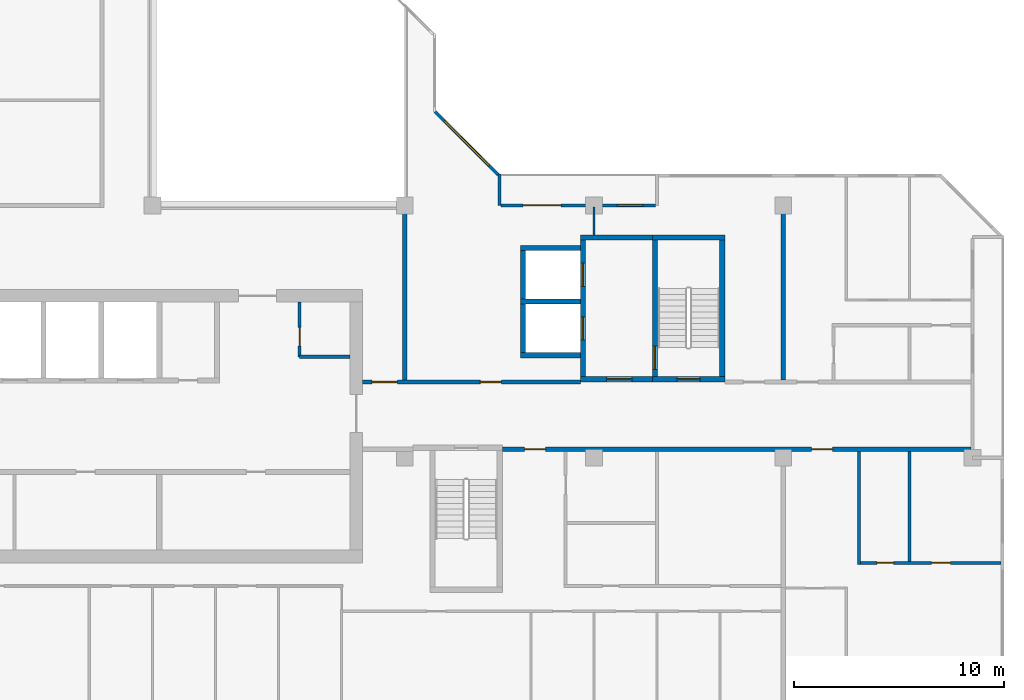
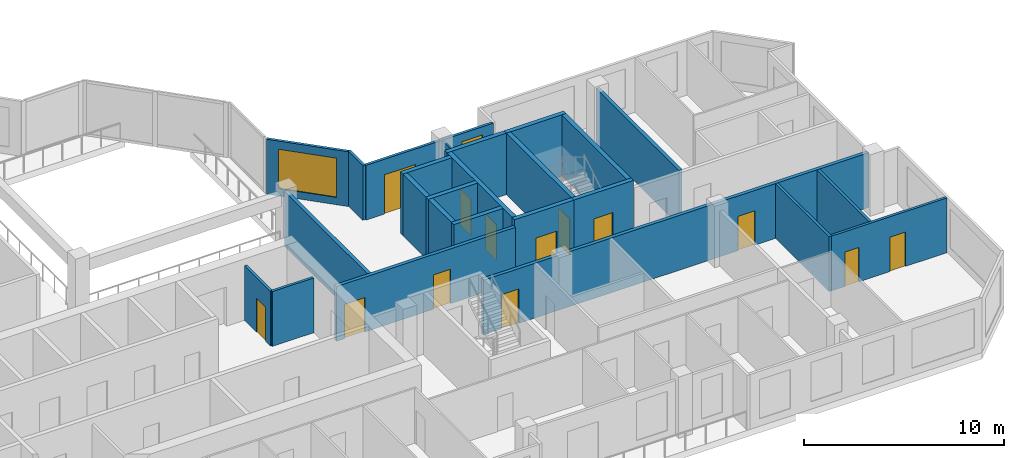
# One storey, part 7 of 13: 25 walls, 13 doors, 2 windows, 15 openings.
"""IFC4 building model written with IfcOpenShell, lengths in metres."""

from ifc_helpers import new_model, si_unit, direction, frame, frame_2d, origin, place, context, subcontext, project, spatial, rectangle, extrude, material, layer, layer_set, type_object, element, fill, save


model = new_model("IFC4")

# Units and contexts
model_context = context("Model", 3, precision=1e-05, world=origin(), true_north=direction((0.0, 1.0)))
body_context = subcontext(model_context, "Body", "Model", "MODEL_VIEW")
ifc_project = project(units=[si_unit("LENGTHUNIT", "METRE"), si_unit("AREAUNIT", "SQUARE_METRE"), si_unit("VOLUMEUNIT", "CUBIC_METRE"), si_unit("PLANEANGLEUNIT", "RADIAN"), si_unit("MASSUNIT", "GRAM", prefix="KILO")], contexts=[model_context])

# Site, building, storey
site_placement = place(None, origin())
site = spatial("IfcSite", under=ifc_project, at=site_placement, CompositionType="ELEMENT")
building_placement = place(site_placement, origin())
building = spatial("IfcBuilding", under=site, at=building_placement, Name="Chenar Terraces", CompositionType="ELEMENT")
storey_placement = place(building_placement, frame((0.0, 0.0, 284.64990234375)))
storey = spatial("IfcBuildingStorey", under=building, at=storey_placement, Name="L66", CompositionType="ELEMENT", Elevation=284.64990234375)

# Wall, opening, door
ifc_material_1 = material(Name="Gypsum board on steel studs", Category="steel")
ifc_layer_1 = layer(ifc_material_1, 0.14990234375)
ifc_layer_set_1 = layer_set([ifc_layer_1], Name="Gypsum board on steel studs")
wall_type_1 = type_object("IfcWallType", Name="Core partition 150 gypsum board", PredefinedType="PARTITIONING", material=ifc_layer_set_1)
wall_1_placement = place(storey_placement, frame((31.0, 16.800048828125, 0.0), z_axis=(0.0, 0.0, 1.0), x_axis=(0.0, 1.0, 0.0)))
wall_1 = element("IfcWall", 1, at=wall_1_placement, inside=storey, type_object=wall_type_1, Name="Core partition CP1 vestibule room west wall", PredefinedType="PARTITIONING", context=body_context, shape_type="SweptSolid", body=[
    extrude(rectangle(XDim=2.599853515625, YDim=0.14990234375, at=frame_2d((1.2998046875, 0.0))), origin(), (0.0, 0.0, 1.0), 3.35009765625),
])
opening_1_placement = place(wall_1_placement, frame((0.5, 0.0, 0.0)))
opening_1 = element("IfcOpeningElement", 2, at=opening_1_placement, cuts=wall_1, Name="Opening DL66-C16", PredefinedType="OPENING", context=body_context, shape_type="SweptSolid", body=[
    extrude(rectangle(XDim=0.89990234375, YDim=2.10009765625, at=frame_2d((0.449951171875, 1.050048828125))), frame((0.0, 0.0849609375, 0.0), z_axis=(0.0, -1.0, 0.0), x_axis=(1.0, 0.0, 0.0)), (0.0, 0.0, 1.0), 0.169921875),
])
ifc_material_2 = material(Name="Steel-framed fire-resisting door leaf", Category="steel")
door_type_1 = type_object("IfcDoorType", Name="Riser fire door FD60 900 x 2100", OperationType="SINGLE_SWING_LEFT", PredefinedType="DOOR", material=ifc_material_2)
door_1_placement = place(opening_1_placement, frame((0.89990234375, 0.0, 0.0), z_axis=(0.0, 0.0, 1.0), x_axis=(-1.0, 0.0, 0.0)))
door_1 = element("IfcDoor", 3, at=door_1_placement, inside=storey, type_object=door_type_1, Name="Core room door DL66-C16", OperationType="SINGLE_SWING_RIGHT", OverallHeight=2.10009765625, OverallWidth=0.89990234375, PredefinedType="DOOR", context=body_context, shape_type="SweptSolid", body=[
    extrude(rectangle(XDim=0.89990234375, YDim=2.10009765625, at=frame_2d((0.449951171875, 1.050048828125))), frame((0.0, 0.02490234375, 0.0), z_axis=(0.0, -1.0, 0.0), x_axis=(1.0, 0.0, 0.0)), (0.0, 0.0, 1.0), 0.050048828125),
])
fill(opening_1, door_1)

# Wall
wall_2_placement = place(storey_placement, frame((31.0, 16.800048828125, 0.0), z_axis=(0.0, 0.0, 1.0), x_axis=(1.0, 0.0, 0.0)))
element("IfcWall", 4, at=wall_2_placement, inside=storey, type_object=wall_type_1, Name="Core partition CP1 vestibule room south wall", PredefinedType="PARTITIONING", context=body_context, shape_type="SweptSolid", body=[
    extrude(rectangle(XDim=2.39990234375, YDim=0.14990234375, at=frame_2d((1.199951171875, 0.0))), origin(), (0.0, 0.0, 1.0), 3.35009765625),
])

# Wall, opening, door
ifc_material_3 = material(Name="Concrete C50/60", Category="concrete")
ifc_layer_2 = layer(ifc_material_3, 0.25)
ifc_layer_set_2 = layer_set([ifc_layer_2], Name="Concrete C50/60")
wall_type_2 = type_object("IfcWallType", Name="Core wall 250 Concrete C50/60", PredefinedType="SHEAR", material=ifc_layer_set_2)
wall_3_placement = place(storey_placement, frame((47.77490234375, 15.72509765625, 0.0), z_axis=(0.0, 0.0, 1.0), x_axis=(1.0, 0.0, 0.0)))
wall_3 = element("IfcWall", 5, at=wall_3_placement, inside=storey, type_object=wall_type_2, Name="Core wall ST3_S L66", PredefinedType="SHEAR", context=body_context, shape_type="SweptSolid", body=[
    extrude(rectangle(XDim=3.4501953125, YDim=0.25, at=frame_2d((1.72509765625, 0.0))), origin(), (0.0, 0.0, 1.0), 3.75),
])
opening_2_placement = place(wall_3_placement, frame((1.175048828125, 0.0, 0.0)))
opening_2 = element("IfcOpeningElement", 6, at=opening_2_placement, cuts=wall_3, Name="Opening DL66-C8", PredefinedType="OPENING", context=body_context, shape_type="SweptSolid", body=[
    extrude(rectangle(XDim=1.10009765625, YDim=2.199951171875, at=frame_2d((0.550048828125, 1.10009765625))), frame((0.0, 0.135009765625, 0.0), z_axis=(0.0, -1.0, 0.0), x_axis=(1.0, 0.0, 0.0)), (0.0, 0.0, 1.0), 0.27001953125),
])
ifc_material_4 = material(Name="Steel-framed fire-resisting door leaf", Category="steel")
door_type_2 = type_object("IfcDoorType", Name="Stair fire door FD60 1100 x 2200", OperationType="SINGLE_SWING_LEFT", PredefinedType="DOOR", material=ifc_material_4)
door_2_placement = place(opening_2_placement, frame((1.10009765625, 0.0, 0.0), z_axis=(0.0, 0.0, 1.0), x_axis=(-1.0, 0.0, 0.0)))
door_2 = element("IfcDoor", 7, at=door_2_placement, inside=storey, type_object=door_type_2, Name="Stair door DL66-C8", OperationType="SINGLE_SWING_LEFT", OverallHeight=2.199951171875, OverallWidth=1.10009765625, PredefinedType="DOOR", context=body_context, shape_type="SweptSolid", body=[
    extrude(rectangle(XDim=1.10009765625, YDim=2.199951171875, at=frame_2d((0.550048828125, 1.10009765625))), frame((0.0, 0.02490234375, 0.0), z_axis=(0.0, -1.0, 0.0), x_axis=(1.0, 0.0, 0.0)), (0.0, 0.0, 1.0), 0.050048828125),
])
fill(opening_2, door_2)

# Wall
wall_4_placement = place(storey_placement, frame((47.77490234375, 22.47509765625, 0.0), z_axis=(0.0, 0.0, 1.0), x_axis=(1.0, 0.0, 0.0)))
element("IfcWall", 8, at=wall_4_placement, inside=storey, type_object=wall_type_2, Name="Core wall ST3_N L66", PredefinedType="SHEAR", context=body_context, shape_type="SweptSolid", body=[
    extrude(rectangle(XDim=3.4501953125, YDim=0.25, at=frame_2d((1.72509765625, 0.0))), origin(), (0.0, 0.0, 1.0), 3.75),
])

# Wall, opening, door
wall_5_placement = place(storey_placement, frame((47.89990234375, 15.85009765625, 0.0), z_axis=(0.0, 0.0, 1.0), x_axis=(0.0, 1.0, 0.0)))
wall_5 = element("IfcWall", 9, at=wall_5_placement, inside=storey, type_object=wall_type_2, Name="Core wall ST3_W L66", PredefinedType="SHEAR", context=body_context, shape_type="SweptSolid", body=[
    extrude(rectangle(XDim=6.5, YDim=0.25, at=frame_2d((3.25, 0.0))), origin(), (0.0, 0.0, 1.0), 3.75),
])
opening_3_placement = place(wall_5_placement, frame((0.35009765625, 0.0, 0.0)))
opening_3 = element("IfcOpeningElement", 10, at=opening_3_placement, cuts=wall_5, Name="Opening DL66-C11", PredefinedType="OPENING", context=body_context, shape_type="SweptSolid", body=[
    extrude(rectangle(XDim=1.10009765625, YDim=2.199951171875, at=frame_2d((0.550048828125, 1.10009765625))), frame((0.0, 0.135009765625, 0.0), z_axis=(0.0, -1.0, 0.0), x_axis=(1.0, 0.0, 0.0)), (0.0, 0.0, 1.0), 0.27001953125),
])
door_3_placement = place(opening_3_placement, frame((1.10009765625, 0.0, 0.0), z_axis=(0.0, 0.0, 1.0), x_axis=(-1.0, 0.0, 0.0)))
door_3 = element("IfcDoor", 11, at=door_3_placement, inside=storey, type_object=door_type_2, Name="Stair door DL66-C11", OperationType="SINGLE_SWING_RIGHT", OverallHeight=2.199951171875, OverallWidth=1.10009765625, PredefinedType="DOOR", context=body_context, shape_type="SweptSolid", body=[
    extrude(rectangle(XDim=1.10009765625, YDim=2.199951171875, at=frame_2d((0.550048828125, 1.10009765625))), frame((0.0, 0.02490234375, 0.0), z_axis=(0.0, -1.0, 0.0), x_axis=(1.0, 0.0, 0.0)), (0.0, 0.0, 1.0), 0.050048828125),
])
fill(opening_3, door_3)

# Wall
wall_6_placement = place(storey_placement, frame((51.10009765625, 15.85009765625, 0.0), z_axis=(0.0, 0.0, 1.0), x_axis=(0.0, 1.0, 0.0)))
element("IfcWall", 12, at=wall_6_placement, inside=storey, type_object=wall_type_2, Name="Core wall ST3_E L66", PredefinedType="SHEAR", context=body_context, shape_type="SweptSolid", body=[
    extrude(rectangle(XDim=6.5, YDim=0.25, at=frame_2d((3.25, 0.0))), origin(), (0.0, 0.0, 1.0), 3.75),
])

# Wall, opening, door
wall_7_placement = place(storey_placement, frame((44.35009765625, 15.72509765625, 0.0), z_axis=(0.0, 0.0, 1.0), x_axis=(1.0, 0.0, 0.0)))
wall_7 = element("IfcWall", 13, at=wall_7_placement, inside=storey, type_object=wall_type_2, Name="Core wall F3_LS L66", PredefinedType="SHEAR", context=body_context, shape_type="SweptSolid", body=[
    extrude(rectangle(XDim=3.4248046875, YDim=0.25, at=frame_2d((1.71240234375, 0.0))), origin(), (0.0, 0.0, 1.0), 3.75),
])
opening_4_placement = place(wall_7_placement, frame((1.25, 0.0, 0.0)))
opening_4 = element("IfcOpeningElement", 14, at=opening_4_placement, cuts=wall_7, Name="Opening DL66-C10", PredefinedType="OPENING", context=body_context, shape_type="SweptSolid", body=[
    extrude(rectangle(XDim=1.199951171875, YDim=2.199951171875, at=frame_2d((0.60009765625, 1.10009765625))), frame((0.0, 0.135009765625, 0.0), z_axis=(0.0, -1.0, 0.0), x_axis=(1.0, 0.0, 0.0)), (0.0, 0.0, 1.0), 0.27001953125),
])
ifc_material_5 = material(Name="Steel-framed fire-resisting door leaf", Category="steel")
door_type_3 = type_object("IfcDoorType", Name="Lobby fire door FD60 1200 x 2200", OperationType="SINGLE_SWING_LEFT", PredefinedType="DOOR", material=ifc_material_5)
door_4_placement = place(opening_4_placement, origin())
door_4 = element("IfcDoor", 15, at=door_4_placement, inside=storey, type_object=door_type_3, Name="Core door DL66-C10", OperationType="SINGLE_SWING_RIGHT", OverallHeight=2.199951171875, OverallWidth=1.199951171875, PredefinedType="DOOR", context=body_context, shape_type="SweptSolid", body=[
    extrude(rectangle(XDim=1.199951171875, YDim=2.199951171875, at=frame_2d((0.60009765625, 1.10009765625))), frame((0.0, 0.02490234375, 0.0), z_axis=(0.0, -1.0, 0.0), x_axis=(1.0, 0.0, 0.0)), (0.0, 0.0, 1.0), 0.050048828125),
])
fill(opening_4, door_4)

# Wall
wall_8_placement = place(storey_placement, frame((44.35009765625, 22.47509765625, 0.0), z_axis=(0.0, 0.0, 1.0), x_axis=(1.0, 0.0, 0.0)))
element("IfcWall", 16, at=wall_8_placement, inside=storey, type_object=wall_type_2, Name="Core wall F3_LN L66", PredefinedType="SHEAR", context=body_context, shape_type="SweptSolid", body=[
    extrude(rectangle(XDim=3.4248046875, YDim=0.25, at=frame_2d((1.71240234375, 0.0))), origin(), (0.0, 0.0, 1.0), 3.75),
])

# Wall, openings, doors
wall_9_placement = place(storey_placement, frame((44.47509765625, 15.85009765625, 0.0), z_axis=(0.0, 0.0, 1.0), x_axis=(0.0, 1.0, 0.0)))
wall_9 = element("IfcWall", 17, at=wall_9_placement, inside=storey, type_object=wall_type_2, Name="Core wall F3_LW L66", PredefinedType="SHEAR", context=body_context, shape_type="SweptSolid", body=[
    extrude(rectangle(XDim=6.5, YDim=0.25, at=frame_2d((3.25, 0.0))), origin(), (0.0, 0.0, 1.0), 3.75),
])
opening_5_placement = place(wall_9_placement, frame((1.75, 0.0, 0.0)))
opening_5 = element("IfcOpeningElement", 18, at=opening_5_placement, cuts=wall_9, Name="Opening DL66-LD8", PredefinedType="OPENING", context=body_context, shape_type="SweptSolid", body=[
    extrude(rectangle(XDim=1.10009765625, YDim=2.199951171875, at=frame_2d((0.550048828125, 1.10009765625))), frame((0.0, 0.135009765625, 0.0), z_axis=(0.0, -1.0, 0.0), x_axis=(1.0, 0.0, 0.0)), (0.0, 0.0, 1.0), 0.27001953125),
])
opening_6_placement = place(wall_9_placement, frame((4.300048828125, 0.0, 0.0)))
opening_6 = element("IfcOpeningElement", 19, at=opening_6_placement, cuts=wall_9, Name="Opening DL66-LD9", PredefinedType="OPENING", context=body_context, shape_type="SweptSolid", body=[
    extrude(rectangle(XDim=1.10009765625, YDim=2.199951171875, at=frame_2d((0.550048828125, 1.10009765625))), frame((0.0, 0.135009765625, 0.0), z_axis=(0.0, -1.0, 0.0), x_axis=(1.0, 0.0, 0.0)), (0.0, 0.0, 1.0), 0.27001953125),
])
ifc_material_6 = material(Name="Stainless steel", Category="steel")
door_type_4 = type_object("IfcDoorType", Name="Lift landing door 1100 x 2200 sliding", OperationType="DOUBLE_DOOR_SLIDING", PredefinedType="DOOR", material=ifc_material_6)
door_5_placement = place(opening_5_placement, origin())
door_5 = element("IfcDoor", 20, at=door_5_placement, inside=storey, type_object=door_type_4, Name="Landing door F3", OperationType="DOUBLE_DOOR_SLIDING", OverallHeight=2.199951171875, OverallWidth=1.10009765625, PredefinedType="DOOR", context=body_context, shape_type="SweptSolid", body=[
    extrude(rectangle(XDim=1.10009765625, YDim=2.199951171875, at=frame_2d((0.550048828125, 1.10009765625))), frame((0.0, 0.02490234375, 0.0), z_axis=(0.0, -1.0, 0.0), x_axis=(1.0, 0.0, 0.0)), (0.0, 0.0, 1.0), 0.050048828125),
])
fill(opening_5, door_5)
door_6_placement = place(opening_6_placement, origin())
door_6 = element("IfcDoor", 21, at=door_6_placement, inside=storey, type_object=door_type_4, Name="Landing door F4", OperationType="DOUBLE_DOOR_SLIDING", OverallHeight=2.199951171875, OverallWidth=1.10009765625, PredefinedType="DOOR", context=body_context, shape_type="SweptSolid", body=[
    extrude(rectangle(XDim=1.10009765625, YDim=2.199951171875, at=frame_2d((0.550048828125, 1.10009765625))), frame((0.0, 0.02490234375, 0.0), z_axis=(0.0, -1.0, 0.0), x_axis=(1.0, 0.0, 0.0)), (0.0, 0.0, 1.0), 0.050048828125),
])
fill(opening_6, door_6)

# Walls
for number, where, z_axis, x_axis, name in (
    (22, (41.5, 16.875, 0.0), (0.0, 0.0, 1.0), (1.0, 0.0, 0.0), "Core wall F3_SS L66"),
    (23, (41.5, 19.425048828125, 0.0), (0.0, 0.0, 1.0), (1.0, 0.0, 0.0), "Core wall F3_SM L66"),
    (24, (41.5, 21.97509765625, 0.0), (0.0, 0.0, 1.0), (1.0, 0.0, 0.0), "Core wall F4_SN L66"),
):
    element("IfcWall", number, at=place(storey_placement, frame(where, z_axis=z_axis, x_axis=x_axis)), inside=storey, type_object=wall_type_2, Name=name, PredefinedType="SHEAR", context=body_context, shape_type="SweptSolid", body=[
        extrude(rectangle(XDim=2.85009765625, YDim=0.25, at=frame_2d((1.425048828125, 0.0))), origin(), (0.0, 0.0, 1.0), 3.75),
    ])
for number, where, z_axis, x_axis, name in (
    (25, (41.625, 17.0, 0.0), (0.0, 0.0, 1.0), (0.0, 1.0, 0.0), "Core wall F3_SW L66"),
    (26, (41.625, 19.550048828125, 0.0), (0.0, 0.0, 1.0), (0.0, 1.0, 0.0), "Core wall F4_SW L66"),
):
    element("IfcWall", number, at=place(storey_placement, frame(where, z_axis=z_axis, x_axis=x_axis)), inside=storey, type_object=wall_type_2, Name=name, PredefinedType="SHEAR", context=body_context, shape_type="SweptSolid", body=[
        extrude(rectangle(XDim=2.300048828125, YDim=0.25, at=frame_2d((1.14990234375, 0.0))), origin(), (0.0, 0.0, 1.0), 3.75),
    ])

# Wall, openings, doors
ifc_material_7 = material(Name="Gypsum board on steel studs with fire boards", Category="steel")
ifc_layer_3 = layer(ifc_material_7, 0.199951171875)
ifc_layer_set_3 = layer_set([ifc_layer_3], Name="Gypsum board on steel studs with fire boards")
wall_type_3 = type_object("IfcWallType", Name="Corridor wall 200", PredefinedType="PARTITIONING", material=ifc_layer_set_3)
wall_10_placement = place(storey_placement, frame((34.0, 15.60009765625, 0.0), z_axis=(0.0, 0.0, 1.0), x_axis=(1.0, 0.0, 0.0)))
wall_10 = element("IfcWall", 27, at=wall_10_placement, inside=storey, type_object=wall_type_3, Name="Partition L66-049", PredefinedType="PARTITIONING", context=body_context, shape_type="SweptSolid", body=[
    extrude(rectangle(XDim=10.35009765625, YDim=0.199951171875, at=frame_2d((5.175048828125, 0.0))), origin(), (0.0, 0.0, 1.0), 3.35009765625),
])
opening_7_placement = place(wall_10_placement, frame((5.60009765625, 0.0, 0.0)))
opening_7 = element("IfcOpeningElement", 28, at=opening_7_placement, cuts=wall_10, Name="Opening DL66-3", PredefinedType="OPENING", context=body_context, shape_type="SweptSolid", body=[
    extrude(rectangle(XDim=1.0, YDim=2.10009765625, at=frame_2d((0.5, 1.050048828125))), frame((0.0, 0.10986328125, 0.0), z_axis=(0.0, -1.0, 0.0), x_axis=(1.0, 0.0, 0.0)), (0.0, 0.0, 1.0), 0.219970703125),
])
opening_8_placement = place(wall_10_placement, frame((0.449951171875, 0.0, 0.0)))
opening_8 = element("IfcOpeningElement", 29, at=opening_8_placement, cuts=wall_10, Name="Opening DL66-28", PredefinedType="OPENING", context=body_context, shape_type="SweptSolid", body=[
    extrude(rectangle(XDim=1.199951171875, YDim=2.10009765625, at=frame_2d((0.60009765625, 1.050048828125))), frame((0.0, 0.10986328125, 0.0), z_axis=(0.0, -1.0, 0.0), x_axis=(1.0, 0.0, 0.0)), (0.0, 0.0, 1.0), 0.219970703125),
])
ifc_material_8 = material(Name="Steel-framed fire-resisting door leaf", Category="steel")
door_type_5 = type_object("IfcDoorType", Name="Fire door FD60 1000 x 2100", OperationType="SINGLE_SWING_LEFT", PredefinedType="DOOR", material=ifc_material_8)
door_7_placement = place(opening_7_placement, origin())
door_7 = element("IfcDoor", 30, at=door_7_placement, inside=storey, type_object=door_type_5, Name="Door DL66-3", OperationType="SINGLE_SWING_RIGHT", OverallHeight=2.10009765625, OverallWidth=1.0, PredefinedType="DOOR", context=body_context, shape_type="SweptSolid", body=[
    extrude(rectangle(XDim=1.0, YDim=2.10009765625, at=frame_2d((0.5, 1.050048828125))), frame((0.0, 0.02490234375, 0.0), z_axis=(0.0, -1.0, 0.0), x_axis=(1.0, 0.0, 0.0)), (0.0, 0.0, 1.0), 0.050048828125),
])
fill(opening_7, door_7)
ifc_material_9 = material(Name="Steel-framed fire-resisting door leaf", Category="steel")
door_type_6 = type_object("IfcDoorType", Name="Fire door FD60 1200 x 2100", OperationType="SINGLE_SWING_LEFT", PredefinedType="DOOR", material=ifc_material_9)
door_8_placement = place(opening_8_placement, origin())
door_8 = element("IfcDoor", 31, at=door_8_placement, inside=storey, type_object=door_type_6, Name="Door DL66-28", OperationType="SINGLE_SWING_RIGHT", OverallHeight=2.10009765625, OverallWidth=1.199951171875, PredefinedType="DOOR", context=body_context, shape_type="SweptSolid", body=[
    extrude(rectangle(XDim=1.199951171875, YDim=2.10009765625, at=frame_2d((0.60009765625, 1.050048828125))), frame((0.0, 0.02490234375, 0.0), z_axis=(0.0, -1.0, 0.0), x_axis=(1.0, 0.0, 0.0)), (0.0, 0.0, 1.0), 0.050048828125),
])
fill(opening_8, door_8)

# Wall
wall_11_placement = place(storey_placement, frame((36.0, 15.699951171875, 0.0), z_axis=(0.0, 0.0, 1.0), x_axis=(0.0, 1.0, 0.0)))
element("IfcWall", 32, at=wall_11_placement, inside=storey, type_object=wall_type_3, Name="Partition L66-050", PredefinedType="PARTITIONING", context=body_context, shape_type="SweptSolid", body=[
    extrude(rectangle(XDim=8.300048828125, YDim=0.199951171875, at=frame_2d((4.14990234375, 0.0))), origin(), (0.0, 0.0, 1.0), 3.35009765625),
])

# Wall, openings, doors
wall_12_placement = place(storey_placement, frame((40.64990234375, 12.39990234375, 0.0), z_axis=(0.0, 0.0, 1.0), x_axis=(1.0, 0.0, 0.0)))
wall_12 = element("IfcWall", 33, at=wall_12_placement, inside=storey, type_object=wall_type_3, Name="Partition L66-051", PredefinedType="PARTITIONING", context=body_context, shape_type="SweptSolid", body=[
    extrude(rectangle(XDim=22.276123046875, YDim=0.199951171875, at=frame_2d((11.13818359375, 0.0))), origin(), (0.0, 0.0, 1.0), 3.35009765625),
])
opening_9_placement = place(wall_12_placement, frame((14.699951171875, 0.0, 0.0)))
opening_9 = element("IfcOpeningElement", 34, at=opening_9_placement, cuts=wall_12, Name="Opening DL66-12", PredefinedType="OPENING", context=body_context, shape_type="SweptSolid", body=[
    extrude(rectangle(XDim=1.0, YDim=2.10009765625, at=frame_2d((0.5, 1.050048828125))), frame((0.0, 0.10986328125, 0.0), z_axis=(0.0, -1.0, 0.0), x_axis=(1.0, 0.0, 0.0)), (0.0, 0.0, 1.0), 0.219970703125),
])
opening_10_placement = place(wall_12_placement, frame((1.050048828125, 0.0, 0.0)))
opening_10 = element("IfcOpeningElement", 35, at=opening_10_placement, cuts=wall_12, Name="Opening DL66-45", PredefinedType="OPENING", context=body_context, shape_type="SweptSolid", body=[
    extrude(rectangle(XDim=1.0, YDim=2.10009765625, at=frame_2d((0.5, 1.050048828125))), frame((0.0, 0.10986328125, 0.0), z_axis=(0.0, -1.0, 0.0), x_axis=(1.0, 0.0, 0.0)), (0.0, 0.0, 1.0), 0.219970703125),
])
ifc_material_10 = material(Name="Steel-framed fire-resisting door leaf", Category="steel")
door_type_7 = type_object("IfcDoorType", Name="Fire door FD30S 1000 x 2100", OperationType="SINGLE_SWING_LEFT", PredefinedType="DOOR", material=ifc_material_10)
door_9_placement = place(opening_9_placement, frame((1.0, 0.0, 0.0), z_axis=(0.0, 0.0, 1.0), x_axis=(-1.0, 0.0, 0.0)))
door_9 = element("IfcDoor", 36, at=door_9_placement, inside=storey, type_object=door_type_7, Name="Door DL66-12", OperationType="SINGLE_SWING_RIGHT", OverallHeight=2.10009765625, OverallWidth=1.0, PredefinedType="DOOR", context=body_context, shape_type="SweptSolid", body=[
    extrude(rectangle(XDim=1.0, YDim=2.10009765625, at=frame_2d((0.5, 1.050048828125))), frame((0.0, 0.02490234375, 0.0), z_axis=(0.0, -1.0, 0.0), x_axis=(1.0, 0.0, 0.0)), (0.0, 0.0, 1.0), 0.050048828125),
])
fill(opening_9, door_9)
door_10_placement = place(opening_10_placement, origin())
door_10 = element("IfcDoor", 37, at=door_10_placement, inside=storey, type_object=door_type_7, Name="Door DL66-45", OperationType="SINGLE_SWING_LEFT", OverallHeight=2.10009765625, OverallWidth=1.0, PredefinedType="DOOR", context=body_context, shape_type="SweptSolid", body=[
    extrude(rectangle(XDim=1.0, YDim=2.10009765625, at=frame_2d((0.5, 1.050048828125))), frame((0.0, 0.02490234375, 0.0), z_axis=(0.0, -1.0, 0.0), x_axis=(1.0, 0.0, 0.0)), (0.0, 0.0, 1.0), 0.050048828125),
])
fill(opening_10, door_10)

# Wall, openings, window, door
ifc_material_11 = material(Name="Aluminium framed glazing", Category="aluminium")
ifc_layer_4 = layer(ifc_material_11, 0.14990234375)
ifc_layer_set_4 = layer_set([ifc_layer_4], Name="Aluminium framed glazing")
wall_type_4 = type_object("IfcWallType", Name="Glazed loggia back wall 150", PredefinedType="SOLIDWALL", material=ifc_layer_set_4)
wall_13_placement = place(storey_placement, frame((47.925048828125, 24.0, 0.0), z_axis=(0.0, 0.0, 1.0), x_axis=(-1.0, 0.0, 0.0)))
wall_13 = element("IfcWall", 38, at=wall_13_placement, inside=storey, type_object=wall_type_4, Name="Glazed loggia back wall", PredefinedType="SOLIDWALL", context=body_context, shape_type="SweptSolid", body=[
    extrude(rectangle(XDim=7.35009765625, YDim=0.14990234375, at=frame_2d((3.675048828125, 0.0))), origin(), (0.0, 0.0, 1.0), 3.35009765625),
])
opening_11_placement = place(wall_13_placement, frame((0.612548828125, 0.0, 0.449951171875)))
opening_11 = element("IfcOpeningElement", 39, at=opening_11_placement, cuts=wall_13, Name="Opening W120x240", PredefinedType="OPENING", context=body_context, shape_type="SweptSolid", body=[
    extrude(rectangle(XDim=1.199951171875, YDim=2.39990234375, at=frame_2d((0.60009765625, 1.199951171875))), frame((0.0, 0.0849609375, 0.0), z_axis=(0.0, -1.0, 0.0), x_axis=(1.0, 0.0, 0.0)), (0.0, 0.0, 1.0), 0.169921875),
])
opening_12_placement = place(wall_13_placement, frame((4.487548828125, 0.0, 0.0)))
opening_12 = element("IfcOpeningElement", 40, at=opening_12_placement, cuts=wall_13, Name="Opening DL66-G1", PredefinedType="OPENING", context=body_context, shape_type="SweptSolid", body=[
    extrude(rectangle(XDim=1.800048828125, YDim=2.39990234375, at=frame_2d((0.89990234375, 1.199951171875))), frame((0.0, 0.0849609375, 0.0), z_axis=(0.0, -1.0, 0.0), x_axis=(1.0, 0.0, 0.0)), (0.0, 0.0, 1.0), 0.169921875),
])
ifc_material_12 = material(Name="Low emissivity double glazing, aluminium frame", Category="aluminium")
window_type_1 = type_object("IfcWindowType", Name="Fixed light 1200 x 2400", PartitioningType="SINGLE_PANEL", PredefinedType="WINDOW", material=ifc_material_12)
window_1_placement = place(opening_11_placement, origin())
window_1 = element("IfcWindow", 41, at=window_1_placement, inside=storey, type_object=window_type_1, Name="Window", OverallHeight=2.39990234375, OverallWidth=1.199951171875, PartitioningType="SINGLE_PANEL", PredefinedType="WINDOW", context=body_context, shape_type="SweptSolid", body=[
    extrude(rectangle(XDim=1.199951171875, YDim=2.39990234375, at=frame_2d((0.60009765625, 1.199951171875))), frame((0.0, 0.030029296875, 0.0), z_axis=(0.0, -1.0, 0.0), x_axis=(1.0, 0.0, 0.0)), (0.0, 0.0, 1.0), 0.06005859375),
])
fill(opening_11, window_1)
ifc_material_13 = material(Name="Low emissivity double glazing, aluminium frame", Category="aluminium")
door_type_8 = type_object("IfcDoorType", Name="Loggia glazed double door 1800 x 2400", OperationType="DOUBLE_DOOR_SINGLE_SWING", PredefinedType="DOOR", material=ifc_material_13)
door_11_placement = place(opening_12_placement, frame((1.800048828125, 0.0, 0.0), z_axis=(0.0, 0.0, 1.0), x_axis=(-1.0, 0.0, 0.0)))
door_11 = element("IfcDoor", 42, at=door_11_placement, inside=storey, type_object=door_type_8, Name="Loggia glazed door", OperationType="DOUBLE_DOOR_SINGLE_SWING", OverallHeight=2.39990234375, OverallWidth=1.800048828125, PredefinedType="DOOR", context=body_context, shape_type="SweptSolid", body=[
    extrude(rectangle(XDim=1.800048828125, YDim=2.39990234375, at=frame_2d((0.89990234375, 1.199951171875))), frame((0.0, 0.02490234375, 0.0), z_axis=(0.0, -1.0, 0.0), x_axis=(1.0, 0.0, 0.0)), (0.0, 0.0, 1.0), 0.050048828125),
])
fill(opening_12, door_11)

# Walls
ifc_material_14 = material(Name="Gypsum board on steel studs", Category="steel")
ifc_layer_5 = layer(ifc_material_14, 0.10009765625)
ifc_layer_set_5 = layer_set([ifc_layer_5], Name="Gypsum board on steel studs")
wall_type_5 = type_object("IfcWallType", Name="Gypsum partition 100", PredefinedType="PARTITIONING", material=ifc_layer_set_5)
wall_14_placement = place(storey_placement, frame((45.0, 22.60009765625, 0.0), z_axis=(0.0, 0.0, 1.0), x_axis=(0.0, 1.0, 0.0)))
element("IfcWall", 43, at=wall_14_placement, inside=storey, type_object=wall_type_5, Name="Partition L66-057", PredefinedType="PARTITIONING", context=body_context, shape_type="SweptSolid", body=[
    extrude(rectangle(XDim=1.325927734375, YDim=0.10009765625, at=frame_2d((0.6630859375, 0.0))), origin(), (0.0, 0.0, 1.0), 3.35009765625),
])
ifc_material_15 = material(Name="Terracotta cladding on insulated backing", Category="masonry")
ifc_layer_6 = layer(ifc_material_15, 0.14990234375)
ifc_layer_set_6 = layer_set([ifc_layer_6], Name="Terracotta cladding on insulated backing")
wall_type_6 = type_object("IfcWallType", Name="Loggia return wall 150", PredefinedType="SOLIDWALL", material=ifc_layer_set_6)
wall_15_placement = place(storey_placement, frame((40.5, 25.5, 0.0), z_axis=(0.0, 0.0, 1.0), x_axis=(0.0, -1.0, 0.0)))
element("IfcWall", 44, at=wall_15_placement, inside=storey, type_object=wall_type_6, Name="Loggia return wall", PredefinedType="SOLIDWALL", context=body_context, shape_type="SweptSolid", body=[
    extrude(rectangle(XDim=1.5, YDim=0.14990234375, at=frame_2d((0.75, 0.0))), origin(), (0.0, 0.0, 1.0), 3.35009765625),
])

# Wall, opening, window
ifc_material_16 = material(Name="Terracotta cladding on insulated backing", Category="masonry")
ifc_layer_7 = layer(ifc_material_16, 0.14990234375)
ifc_layer_set_7 = layer_set([ifc_layer_7], Name="Terracotta cladding on insulated backing")
wall_type_7 = type_object("IfcWallType", Name="Terracotta rainscreen wall 150", PredefinedType="SOLIDWALL", material=ifc_layer_set_7)
wall_16_placement = place(storey_placement, frame((40.447021484375, 25.447021484375, 0.0), z_axis=(0.0, 0.0, 1.0), x_axis=(-0.707106781187, 0.707106781187, 0.0)))
wall_16 = element("IfcWall", 45, at=wall_16_placement, inside=storey, type_object=wall_type_7, Name="Terracotta rainscreen wall", PredefinedType="SOLIDWALL", context=body_context, shape_type="SweptSolid", body=[
    extrude(rectangle(XDim=4.24267578125, YDim=0.14990234375, at=frame_2d((2.121337890625, 0.0))), origin(), (0.0, 0.0, 1.0), 3.35009765625),
])
opening_13_placement = place(wall_16_placement, frame((0.621337890625, 0.0, 0.449951171875)))
opening_13 = element("IfcOpeningElement", 46, at=opening_13_placement, cuts=wall_16, Name="Opening W300x240", PredefinedType="OPENING", context=body_context, shape_type="SweptSolid", body=[
    extrude(rectangle(XDim=3.0, YDim=2.39990234375, at=frame_2d((1.5, 1.199951171875))), frame((0.0, 0.0849609375, 0.0), z_axis=(0.0, -1.0, 0.0), x_axis=(1.0, 0.0, 0.0)), (0.0, 0.0, 1.0), 0.169921875),
])
ifc_material_17 = material(Name="Low emissivity double glazing, aluminium frame", Category="aluminium")
window_type_2 = type_object("IfcWindowType", Name="Fixed light 3000 x 2400", PartitioningType="SINGLE_PANEL", PredefinedType="WINDOW", material=ifc_material_17)
window_2_placement = place(opening_13_placement, origin())
window_2 = element("IfcWindow", 47, at=window_2_placement, inside=storey, type_object=window_type_2, Name="Window", OverallHeight=2.39990234375, OverallWidth=3.0, PartitioningType="SINGLE_PANEL", PredefinedType="WINDOW", context=body_context, shape_type="SweptSolid", body=[
    extrude(rectangle(XDim=3.0, YDim=2.39990234375, at=frame_2d((1.5, 1.199951171875))), frame((0.0, 0.030029296875, 0.0), z_axis=(0.0, -1.0, 0.0), x_axis=(1.0, 0.0, 0.0)), (0.0, 0.0, 1.0), 0.06005859375),
])
fill(opening_13, window_2)

# Walls
ifc_material_18 = material(Name="Twin gypsum board on steel studs with mineral wool", Category="steel")
ifc_layer_8 = layer(ifc_material_18, 0.199951171875)
ifc_layer_set_8 = layer_set([ifc_layer_8], Name="Twin gypsum board on steel studs with mineral wool")
wall_type_8 = type_object("IfcWallType", Name="Unit demising wall 200", PredefinedType="PARTITIONING", material=ifc_layer_set_8)
wall_17_placement = place(storey_placement, frame((54.0, 15.699951171875, 0.0), z_axis=(0.0, 0.0, 1.0), x_axis=(0.0, 1.0, 0.0)))
element("IfcWall", 48, at=wall_17_placement, inside=storey, type_object=wall_type_8, Name="Partition L66-064", PredefinedType="PARTITIONING", context=body_context, shape_type="SweptSolid", body=[
    extrude(rectangle(XDim=8.300048828125, YDim=0.199951171875, at=frame_2d((4.14990234375, 0.0))), origin(), (0.0, 0.0, 1.0), 3.35009765625),
])
ifc_material_19 = material(Name="Moisture-resistant gypsum board on steel studs", Category="steel")
ifc_layer_9 = layer(ifc_material_19, 0.14990234375)
ifc_layer_set_9 = layer_set([ifc_layer_9], Name="Moisture-resistant gypsum board on steel studs")
wall_type_9 = type_object("IfcWallType", Name="Wet-room partition 150", PredefinedType="PARTITIONING", material=ifc_layer_set_9)
wall_18_placement = place(storey_placement, frame((57.60009765625, 6.925048828125, 0.0), z_axis=(0.0, 0.0, 1.0), x_axis=(0.0, 1.0, 0.0)))
element("IfcWall", 49, at=wall_18_placement, inside=storey, type_object=wall_type_9, Name="Partition L66-071", PredefinedType="PARTITIONING", context=body_context, shape_type="SweptSolid", body=[
    extrude(rectangle(XDim=5.375, YDim=0.14990234375, at=frame_2d((2.6875, 0.0))), origin(), (0.0, 0.0, 1.0), 3.35009765625),
])

# Wall, openings, doors
wall_19_placement = place(storey_placement, frame((57.675048828125, 7.0, 0.0), z_axis=(0.0, 0.0, 1.0), x_axis=(1.0, 0.0, 0.0)))
wall_19 = element("IfcWall", 50, at=wall_19_placement, inside=storey, type_object=wall_type_9, Name="Partition L66-072", PredefinedType="PARTITIONING", context=body_context, shape_type="SweptSolid", body=[
    extrude(rectangle(XDim=6.675048828125, YDim=0.14990234375, at=frame_2d((3.33740234375, 0.0))), origin(), (0.0, 0.0, 1.0), 3.35009765625),
])
opening_14_placement = place(wall_19_placement, frame((0.77490234375, 0.0, 0.0)))
opening_14 = element("IfcOpeningElement", 51, at=opening_14_placement, cuts=wall_19, Name="Opening DL66-9", PredefinedType="OPENING", context=body_context, shape_type="SweptSolid", body=[
    extrude(rectangle(XDim=0.800048828125, YDim=2.10009765625, at=frame_2d((0.39990234375, 1.050048828125))), frame((0.0, 0.0849609375, 0.0), z_axis=(0.0, -1.0, 0.0), x_axis=(1.0, 0.0, 0.0)), (0.0, 0.0, 1.0), 0.169921875),
])
opening_15_placement = place(wall_19_placement, frame((3.375, 0.0, 0.0)))
opening_15 = element("IfcOpeningElement", 52, at=opening_15_placement, cuts=wall_19, Name="Opening DL66-11", PredefinedType="OPENING", context=body_context, shape_type="SweptSolid", body=[
    extrude(rectangle(XDim=0.89990234375, YDim=2.10009765625, at=frame_2d((0.449951171875, 1.050048828125))), frame((0.0, 0.0849609375, 0.0), z_axis=(0.0, -1.0, 0.0), x_axis=(1.0, 0.0, 0.0)), (0.0, 0.0, 1.0), 0.169921875),
])
ifc_material_20 = material(Name="Veneered timber door leaf", Category="wood")
door_type_9 = type_object("IfcDoorType", Name="Door 800 x 2100", OperationType="SINGLE_SWING_LEFT", PredefinedType="DOOR", material=ifc_material_20)
door_12_placement = place(opening_14_placement, origin())
door_12 = element("IfcDoor", 53, at=door_12_placement, inside=storey, type_object=door_type_9, Name="Door DL66-9", OperationType="SINGLE_SWING_RIGHT", OverallHeight=2.10009765625, OverallWidth=0.800048828125, PredefinedType="DOOR", context=body_context, shape_type="SweptSolid", body=[
    extrude(rectangle(XDim=0.800048828125, YDim=2.10009765625, at=frame_2d((0.39990234375, 1.050048828125))), frame((0.0, 0.02490234375, 0.0), z_axis=(0.0, -1.0, 0.0), x_axis=(1.0, 0.0, 0.0)), (0.0, 0.0, 1.0), 0.050048828125),
])
fill(opening_14, door_12)
ifc_material_21 = material(Name="Veneered timber door leaf", Category="wood")
door_type_10 = type_object("IfcDoorType", Name="Door 900 x 2100", OperationType="SINGLE_SWING_LEFT", PredefinedType="DOOR", material=ifc_material_21)
door_13_placement = place(opening_15_placement, origin())
door_13 = element("IfcDoor", 54, at=door_13_placement, inside=storey, type_object=door_type_10, Name="Door DL66-11", OperationType="SINGLE_SWING_LEFT", OverallHeight=2.10009765625, OverallWidth=0.89990234375, PredefinedType="DOOR", context=body_context, shape_type="SweptSolid", body=[
    extrude(rectangle(XDim=0.89990234375, YDim=2.10009765625, at=frame_2d((0.449951171875, 1.050048828125))), frame((0.0, 0.02490234375, 0.0), z_axis=(0.0, -1.0, 0.0), x_axis=(1.0, 0.0, 0.0)), (0.0, 0.0, 1.0), 0.050048828125),
])
fill(opening_15, door_13)

# Wall
wall_20_placement = place(storey_placement, frame((60.0, 7.074951171875, 0.0), z_axis=(0.0, 0.0, 1.0), x_axis=(0.0, 1.0, 0.0)))
element("IfcWall", 55, at=wall_20_placement, inside=storey, type_object=wall_type_9, Name="Partition L66-073", PredefinedType="PARTITIONING", context=body_context, shape_type="SweptSolid", body=[
    extrude(rectangle(XDim=5.22509765625, YDim=0.14990234375, at=frame_2d((2.612548828125, 0.0))), origin(), (0.0, 0.0, 1.0), 3.35009765625),
])

save(model, "model.ifc")
